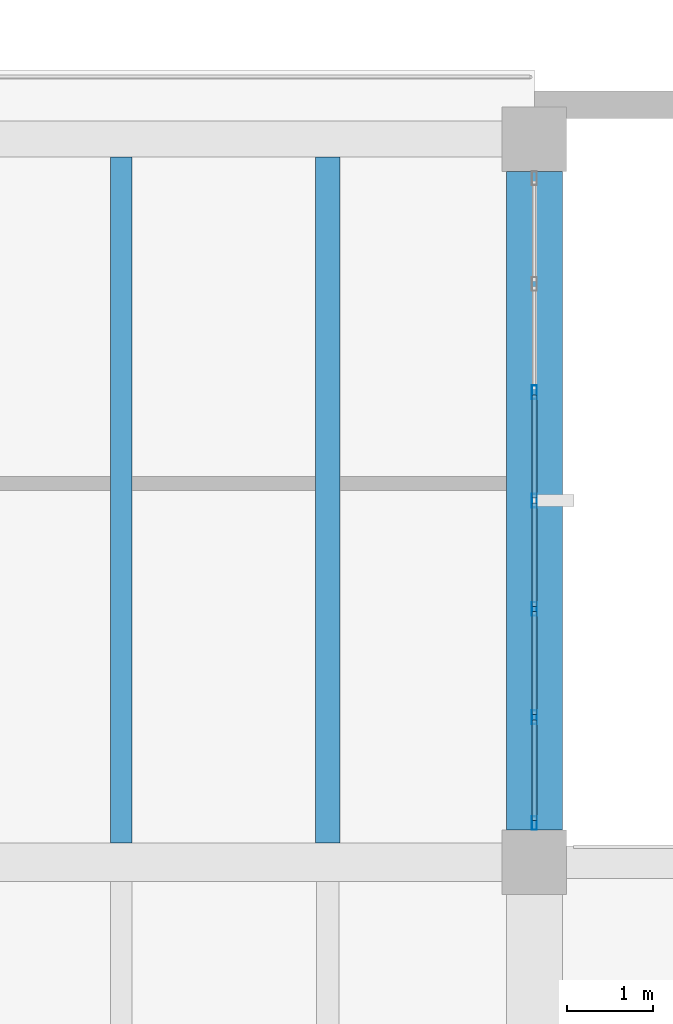
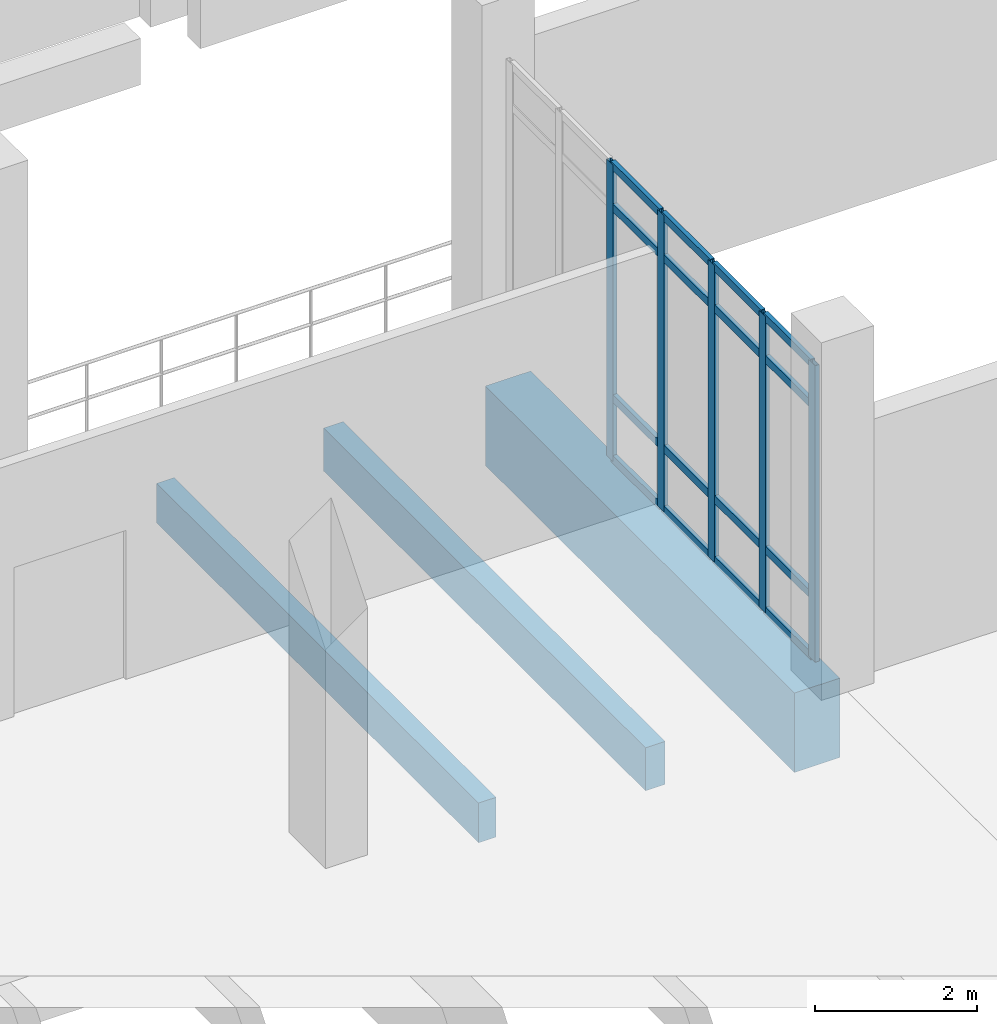
# One storey, part 58 of 110: 21 members, 3 beams, 1 element without a shape of its own.
"""IFC4 building model written with IfcOpenShell, lengths in metres."""

from ifc_helpers import new_model, si_unit, direction, frame, origin, origin_2d, place, context, subcontext, project, spatial, rectangle, hollow_rectangle, extrude, material, material_profile, profile_set, type_object, element, aggregate, save


model = new_model("IFC4")

# Units and contexts
model_context = context("Model", 3, precision=1e-05, world=origin(), true_north=direction((0.0, 1.0)))
body_context = subcontext(model_context, "Body", "Model", "MODEL_VIEW")
ifc_project = project(units=[si_unit("LENGTHUNIT", "METRE"), si_unit("AREAUNIT", "SQUARE_METRE"), si_unit("VOLUMEUNIT", "CUBIC_METRE"), si_unit("PLANEANGLEUNIT", "RADIAN"), si_unit("MASSUNIT", "GRAM", prefix="KILO")], contexts=[model_context])

# Site, building, storey
site_placement = place(None, origin())
site = spatial("IfcSite", under=ifc_project, at=site_placement, CompositionType="ELEMENT")
building_placement = place(site_placement, origin())
building = spatial("IfcBuilding", under=site, at=building_placement, Name="Kalluvel Institute of Natural Sciences", CompositionType="ELEMENT")
storey_placement = place(building_placement, origin())
storey = spatial("IfcBuildingStorey", under=building, at=storey_placement, Name="L00", CompositionType="ELEMENT", Elevation=0.0)

# Beam
ifc_material_1 = material(Name="Concrete M50", Category="concrete")
ifc_material_profile_1 = material_profile(ifc_material_1, rectangle(XDim=0.64990234375, YDim=1.199951171875, at=origin_2d()), Name="RCB 650x1200")
ifc_profile_set_1 = profile_set([ifc_material_profile_1], Name="Concrete M50")
beam_type_1 = type_object("IfcBeamType", Name="BM-RC650x1200", PredefinedType="BEAM", material=ifc_profile_set_1)
beam_1_placement = place(storey_placement, frame((114.800048828125, 111.574951171875, -0.9599609375), z_axis=(0.0, 1.0, 0.0), x_axis=(-1.0, 0.0, 0.0)))
element("IfcBeam", 1, at=beam_1_placement, inside=storey, type_object=beam_type_1, Name="L00 girder GIR-L00-NS-X1148-Y1112", PredefinedType="BEAM", context=body_context, shape_type="SweptSolid", body=[
    extrude(rectangle(XDim=0.64990234375, YDim=1.199951171875, at=origin_2d()), origin(), (0.0, 0.0, 1.0), 7.650146484375),
])

# Curtain wall, members
ifc_material_2 = material(Name="Aluminium AW-6063 T6", Category="aluminium")
curtain_wall_type = type_object("IfcCurtainWallType", Name="CW-WET-54", PredefinedType="USERDEFINED", material=ifc_material_2)
curtain_wall_placement = place(storey_placement, origin())
curtain_wall = element("IfcCurtainWall", 2, at=curtain_wall_placement, inside=storey, type_object=curtain_wall_type, Name="L00 Gothic lancet curtain wall CWA-L00-X1148-Y1116", ObjectType="UNITISED LANCET FACADE", PredefinedType="USERDEFINED")
ifc_material_profile_2 = material_profile(ifc_material_2, hollow_rectangle(XDim=0.06005859375, YDim=0.159912109375, WallThickness=0.00390625, at=origin_2d()), Name="CWM 60x160")
ifc_profile_set_2 = profile_set([ifc_material_profile_2], Name="Aluminium AW-6063 T6")
member_type_1 = type_object("IfcMemberType", Name="CWM-60x160", PredefinedType="MULLION", material=ifc_profile_set_2)
member_1_placement = place(storey_placement, frame((114.800048828125, 111.655029296875, 0.0), z_axis=(0.0, 0.0, 1.0), x_axis=(-1.0, 0.0, 0.0)))
member_1 = element("IfcMember", 3, at=member_1_placement, type_object=member_type_1, Name="CW-02 mullion 1", PredefinedType="MULLION", context=body_context, shape_type="SweptSolid", body=[
    extrude(hollow_rectangle(XDim=0.06005859375, YDim=0.159912109375, WallThickness=0.00390625, at=origin_2d()), origin(), (0.0, 0.0, 1.0), 4.47998046875),
])
member_2_placement = place(storey_placement, frame((114.800048828125, 112.88330078125, 0.0), z_axis=(0.0, 0.0, 1.0), x_axis=(-1.0, 0.0, 0.0)))
member_2 = element("IfcMember", 4, at=member_2_placement, type_object=member_type_1, Name="CW-02 mullion 2", PredefinedType="MULLION", context=body_context, shape_type="SweptSolid", body=[
    extrude(hollow_rectangle(XDim=0.06005859375, YDim=0.159912109375, WallThickness=0.00390625, at=origin_2d()), origin(), (0.0, 0.0, 1.0), 4.47998046875),
])
member_3_placement = place(storey_placement, frame((114.800048828125, 114.1416015625, 0.0), z_axis=(0.0, 0.0, 1.0), x_axis=(-1.0, 0.0, 0.0)))
member_3 = element("IfcMember", 5, at=member_3_placement, type_object=member_type_1, Name="CW-02 mullion 3", PredefinedType="MULLION", context=body_context, shape_type="SweptSolid", body=[
    extrude(hollow_rectangle(XDim=0.06005859375, YDim=0.159912109375, WallThickness=0.00390625, at=origin_2d()), origin(), (0.0, 0.0, 1.0), 4.47998046875),
])
member_4_placement = place(storey_placement, frame((114.800048828125, 115.39990234375, 0.0), z_axis=(0.0, 0.0, 1.0), x_axis=(-1.0, 0.0, 0.0)))
member_4 = element("IfcMember", 6, at=member_4_placement, type_object=member_type_1, Name="CW-02 mullion 4", PredefinedType="MULLION", context=body_context, shape_type="SweptSolid", body=[
    extrude(hollow_rectangle(XDim=0.06005859375, YDim=0.159912109375, WallThickness=0.00390625, at=origin_2d()), origin(), (0.0, 0.0, 1.0), 4.47998046875),
])
member_5_placement = place(storey_placement, frame((114.800048828125, 116.658447265625, 0.0), z_axis=(0.0, 0.0, 1.0), x_axis=(-1.0, 0.0, 0.0)))
member_5 = element("IfcMember", 7, at=member_5_placement, type_object=member_type_1, Name="CW-02 mullion 5", PredefinedType="MULLION", context=body_context, shape_type="SweptSolid", body=[
    extrude(hollow_rectangle(XDim=0.06005859375, YDim=0.159912109375, WallThickness=0.00390625, at=origin_2d()), origin(), (0.0, 0.0, 1.0), 4.47998046875),
])
ifc_material_profile_3 = material_profile(ifc_material_2, hollow_rectangle(XDim=0.06005859375, YDim=0.1201171875, WallThickness=0.00390625, at=origin_2d()), Name="CWT 60x120")
ifc_profile_set_3 = profile_set([ifc_material_profile_3], Name="Aluminium AW-6063 T6")
member_type_2 = type_object("IfcMemberType", Name="CWT-60x120", PredefinedType="USERDEFINED", material=ifc_profile_set_3)
member_6_placement = place(storey_placement, frame((114.800048828125, 111.68505859375, 0.030029296875), z_axis=(0.0, 1.0, 0.0), x_axis=(-1.0, 0.0, 0.0)))
member_6 = element("IfcMember", 8, at=member_6_placement, type_object=member_type_2, Name="CW-02 transom 1.1", ObjectType="TRANSOM", PredefinedType="USERDEFINED", context=body_context, shape_type="SweptSolid", body=[
    extrude(hollow_rectangle(XDim=0.06005859375, YDim=0.1201171875, WallThickness=0.00390625, at=origin_2d()), origin(), (0.0, 0.0, 1.0), 1.168212890625),
])
member_7_placement = place(storey_placement, frame((114.800048828125, 111.68505859375, 0.949951171875), z_axis=(0.0, 1.0, 0.0), x_axis=(-1.0, 0.0, 0.0)))
member_7 = element("IfcMember", 9, at=member_7_placement, type_object=member_type_2, Name="CW-02 transom 1.2", ObjectType="TRANSOM", PredefinedType="USERDEFINED", context=body_context, shape_type="SweptSolid", body=[
    extrude(hollow_rectangle(XDim=0.06005859375, YDim=0.1201171875, WallThickness=0.00390625, at=origin_2d()), origin(), (0.0, 0.0, 1.0), 1.168212890625),
])
member_8_placement = place(storey_placement, frame((114.800048828125, 111.68505859375, 3.830078125), z_axis=(0.0, 1.0, 0.0), x_axis=(-1.0, 0.0, 0.0)))
member_8 = element("IfcMember", 10, at=member_8_placement, type_object=member_type_2, Name="CW-02 transom 1.3", ObjectType="TRANSOM", PredefinedType="USERDEFINED", context=body_context, shape_type="SweptSolid", body=[
    extrude(hollow_rectangle(XDim=0.06005859375, YDim=0.1201171875, WallThickness=0.00390625, at=origin_2d()), origin(), (0.0, 0.0, 1.0), 1.168212890625),
])
member_9_placement = place(storey_placement, frame((114.800048828125, 111.68505859375, 4.449951171875), z_axis=(0.0, 1.0, 0.0), x_axis=(-1.0, 0.0, 0.0)))
member_9 = element("IfcMember", 11, at=member_9_placement, type_object=member_type_2, Name="CW-02 transom 1.4", ObjectType="TRANSOM", PredefinedType="USERDEFINED", context=body_context, shape_type="SweptSolid", body=[
    extrude(hollow_rectangle(XDim=0.06005859375, YDim=0.1201171875, WallThickness=0.00390625, at=origin_2d()), origin(), (0.0, 0.0, 1.0), 1.168212890625),
])
member_10_placement = place(storey_placement, frame((114.800048828125, 112.913330078125, 0.030029296875), z_axis=(0.0, 1.0, 0.0), x_axis=(-1.0, 0.0, 0.0)))
member_10 = element("IfcMember", 12, at=member_10_placement, type_object=member_type_2, Name="CW-02 transom 2.1", ObjectType="TRANSOM", PredefinedType="USERDEFINED", context=body_context, shape_type="SweptSolid", body=[
    extrude(hollow_rectangle(XDim=0.06005859375, YDim=0.1201171875, WallThickness=0.00390625, at=origin_2d()), origin(), (0.0, 0.0, 1.0), 1.1982421875),
])
member_11_placement = place(storey_placement, frame((114.800048828125, 112.913330078125, 0.949951171875), z_axis=(0.0, 1.0, 0.0), x_axis=(-1.0, 0.0, 0.0)))
member_11 = element("IfcMember", 13, at=member_11_placement, type_object=member_type_2, Name="CW-02 transom 2.2", ObjectType="TRANSOM", PredefinedType="USERDEFINED", context=body_context, shape_type="SweptSolid", body=[
    extrude(hollow_rectangle(XDim=0.06005859375, YDim=0.1201171875, WallThickness=0.00390625, at=origin_2d()), origin(), (0.0, 0.0, 1.0), 1.1982421875),
])
member_12_placement = place(storey_placement, frame((114.800048828125, 112.913330078125, 3.830078125), z_axis=(0.0, 1.0, 0.0), x_axis=(-1.0, 0.0, 0.0)))
member_12 = element("IfcMember", 14, at=member_12_placement, type_object=member_type_2, Name="CW-02 transom 2.3", ObjectType="TRANSOM", PredefinedType="USERDEFINED", context=body_context, shape_type="SweptSolid", body=[
    extrude(hollow_rectangle(XDim=0.06005859375, YDim=0.1201171875, WallThickness=0.00390625, at=origin_2d()), origin(), (0.0, 0.0, 1.0), 1.1982421875),
])
member_13_placement = place(storey_placement, frame((114.800048828125, 112.913330078125, 4.449951171875), z_axis=(0.0, 1.0, 0.0), x_axis=(-1.0, 0.0, 0.0)))
member_13 = element("IfcMember", 15, at=member_13_placement, type_object=member_type_2, Name="CW-02 transom 2.4", ObjectType="TRANSOM", PredefinedType="USERDEFINED", context=body_context, shape_type="SweptSolid", body=[
    extrude(hollow_rectangle(XDim=0.06005859375, YDim=0.1201171875, WallThickness=0.00390625, at=origin_2d()), origin(), (0.0, 0.0, 1.0), 1.1982421875),
])
member_14_placement = place(storey_placement, frame((114.800048828125, 114.171630859375, 0.030029296875), z_axis=(0.0, 1.0, 0.0), x_axis=(-1.0, 0.0, 0.0)))
member_14 = element("IfcMember", 16, at=member_14_placement, type_object=member_type_2, Name="CW-02 transom 3.1", ObjectType="TRANSOM", PredefinedType="USERDEFINED", context=body_context, shape_type="SweptSolid", body=[
    extrude(hollow_rectangle(XDim=0.06005859375, YDim=0.1201171875, WallThickness=0.00390625, at=origin_2d()), origin(), (0.0, 0.0, 1.0), 1.198486328125),
])
member_15_placement = place(storey_placement, frame((114.800048828125, 114.171630859375, 0.949951171875), z_axis=(0.0, 1.0, 0.0), x_axis=(-1.0, 0.0, 0.0)))
member_15 = element("IfcMember", 17, at=member_15_placement, type_object=member_type_2, Name="CW-02 transom 3.2", ObjectType="TRANSOM", PredefinedType="USERDEFINED", context=body_context, shape_type="SweptSolid", body=[
    extrude(hollow_rectangle(XDim=0.06005859375, YDim=0.1201171875, WallThickness=0.00390625, at=origin_2d()), origin(), (0.0, 0.0, 1.0), 1.198486328125),
])
member_16_placement = place(storey_placement, frame((114.800048828125, 114.171630859375, 3.830078125), z_axis=(0.0, 1.0, 0.0), x_axis=(-1.0, 0.0, 0.0)))
member_16 = element("IfcMember", 18, at=member_16_placement, type_object=member_type_2, Name="CW-02 transom 3.3", ObjectType="TRANSOM", PredefinedType="USERDEFINED", context=body_context, shape_type="SweptSolid", body=[
    extrude(hollow_rectangle(XDim=0.06005859375, YDim=0.1201171875, WallThickness=0.00390625, at=origin_2d()), origin(), (0.0, 0.0, 1.0), 1.198486328125),
])
member_17_placement = place(storey_placement, frame((114.800048828125, 114.171630859375, 4.449951171875), z_axis=(0.0, 1.0, 0.0), x_axis=(-1.0, 0.0, 0.0)))
member_17 = element("IfcMember", 19, at=member_17_placement, type_object=member_type_2, Name="CW-02 transom 3.4", ObjectType="TRANSOM", PredefinedType="USERDEFINED", context=body_context, shape_type="SweptSolid", body=[
    extrude(hollow_rectangle(XDim=0.06005859375, YDim=0.1201171875, WallThickness=0.00390625, at=origin_2d()), origin(), (0.0, 0.0, 1.0), 1.198486328125),
])
member_18_placement = place(storey_placement, frame((114.800048828125, 115.429931640625, 0.030029296875), z_axis=(0.0, 1.0, 0.0), x_axis=(-1.0, 0.0, 0.0)))
member_18 = element("IfcMember", 20, at=member_18_placement, type_object=member_type_2, Name="CW-02 transom 4.1", ObjectType="TRANSOM", PredefinedType="USERDEFINED", context=body_context, shape_type="SweptSolid", body=[
    extrude(hollow_rectangle(XDim=0.06005859375, YDim=0.1201171875, WallThickness=0.00390625, at=origin_2d()), origin(), (0.0, 0.0, 1.0), 1.198486328125),
])
member_19_placement = place(storey_placement, frame((114.800048828125, 115.429931640625, 0.949951171875), z_axis=(0.0, 1.0, 0.0), x_axis=(-1.0, 0.0, 0.0)))
member_19 = element("IfcMember", 21, at=member_19_placement, type_object=member_type_2, Name="CW-02 transom 4.2", ObjectType="TRANSOM", PredefinedType="USERDEFINED", context=body_context, shape_type="SweptSolid", body=[
    extrude(hollow_rectangle(XDim=0.06005859375, YDim=0.1201171875, WallThickness=0.00390625, at=origin_2d()), origin(), (0.0, 0.0, 1.0), 1.198486328125),
])
member_20_placement = place(storey_placement, frame((114.800048828125, 115.429931640625, 3.830078125), z_axis=(0.0, 1.0, 0.0), x_axis=(-1.0, 0.0, 0.0)))
member_20 = element("IfcMember", 22, at=member_20_placement, type_object=member_type_2, Name="CW-02 transom 4.3", ObjectType="TRANSOM", PredefinedType="USERDEFINED", context=body_context, shape_type="SweptSolid", body=[
    extrude(hollow_rectangle(XDim=0.06005859375, YDim=0.1201171875, WallThickness=0.00390625, at=origin_2d()), origin(), (0.0, 0.0, 1.0), 1.198486328125),
])
member_21_placement = place(storey_placement, frame((114.800048828125, 115.429931640625, 4.449951171875), z_axis=(0.0, 1.0, 0.0), x_axis=(-1.0, 0.0, 0.0)))
member_21 = element("IfcMember", 23, at=member_21_placement, type_object=member_type_2, Name="CW-02 transom 4.4", ObjectType="TRANSOM", PredefinedType="USERDEFINED", context=body_context, shape_type="SweptSolid", body=[
    extrude(hollow_rectangle(XDim=0.06005859375, YDim=0.1201171875, WallThickness=0.00390625, at=origin_2d()), origin(), (0.0, 0.0, 1.0), 1.198486328125),
])
aggregate(curtain_wall, [member_1, member_2, member_3, member_4, member_5, member_6, member_7, member_8, member_9, member_10, member_11, member_12, member_13, member_14, member_15, member_16, member_17, member_18, member_19, member_20, member_21])

# Beams
ifc_material_3 = material(Name="Concrete M40", Category="concrete")
ifc_material_profile_4 = material_profile(ifc_material_3, rectangle(XDim=0.25, YDim=0.60009765625, at=origin_2d()), Name="WAF 250x600")
ifc_profile_set_4 = profile_set([ifc_material_profile_4], Name="Concrete M40")
beam_type_2 = type_object("IfcBeamType", Name="WJ-250x600", PredefinedType="JOIST", material=ifc_profile_set_4)
beam_2_placement = place(storey_placement, frame((110.0, 111.425048828125, -0.6201171875), z_axis=(0.0, 1.0, 0.0), x_axis=(-1.0, 0.0, 0.0)))
element("IfcBeam", 24, at=beam_2_placement, inside=storey, type_object=beam_type_2, Name="L00 waffle joist RIB-L00-0066", PredefinedType="JOIST", context=body_context, shape_type="SweptSolid", body=[
    extrude(rectangle(XDim=0.25, YDim=0.60009765625, at=origin_2d()), origin(), (0.0, 0.0, 1.0), 7.96484375),
])
ifc_material_profile_5 = material_profile(ifc_material_1, rectangle(XDim=0.280029296875, YDim=0.64990234375, at=origin_2d()), Name="WAF 280x650")
ifc_profile_set_5 = profile_set([ifc_material_profile_5], Name="Concrete M50")
beam_type_3 = type_object("IfcBeamType", Name="WJ-280x650", PredefinedType="JOIST", material=ifc_profile_set_5)
beam_3_placement = place(storey_placement, frame((112.39990234375, 111.425048828125, -0.64501953125), z_axis=(0.0, 1.0, 0.0), x_axis=(-1.0, 0.0, 0.0)))
element("IfcBeam", 25, at=beam_3_placement, inside=storey, type_object=beam_type_3, Name="L00 waffle joist RIB-L00-0067", PredefinedType="JOIST", context=body_context, shape_type="SweptSolid", body=[
    extrude(rectangle(XDim=0.280029296875, YDim=0.64990234375, at=origin_2d()), origin(), (0.0, 0.0, 1.0), 7.96484375),
])

save(model, "model.ifc")
